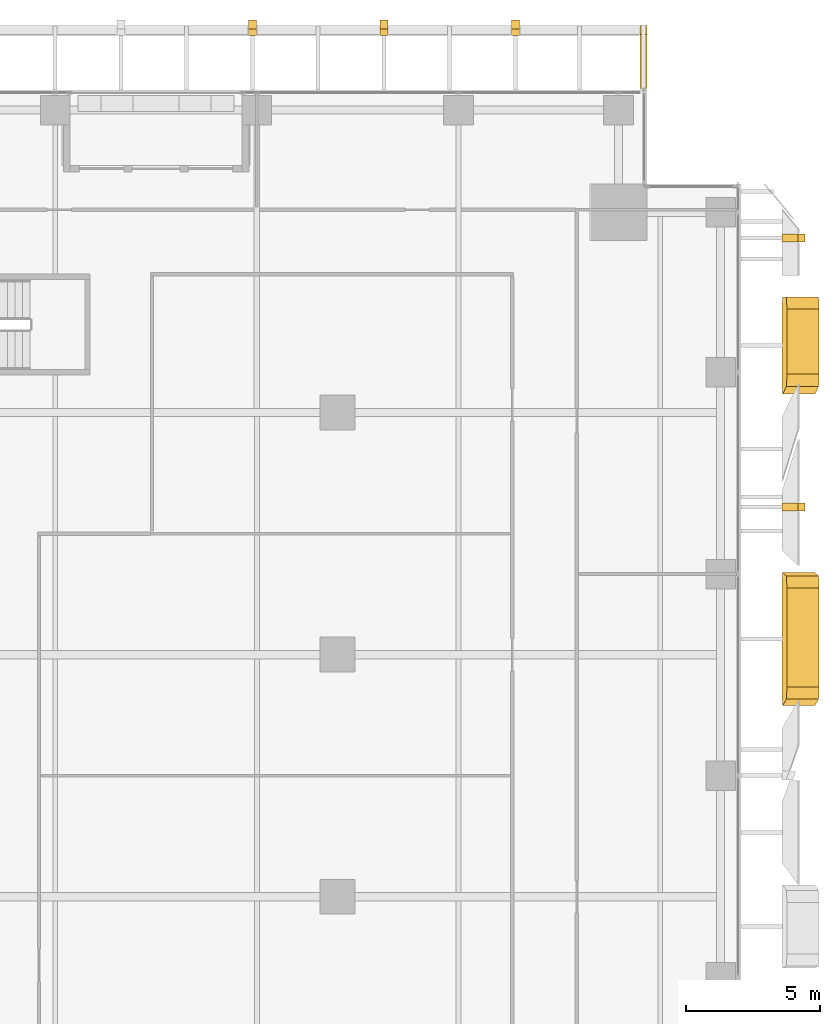
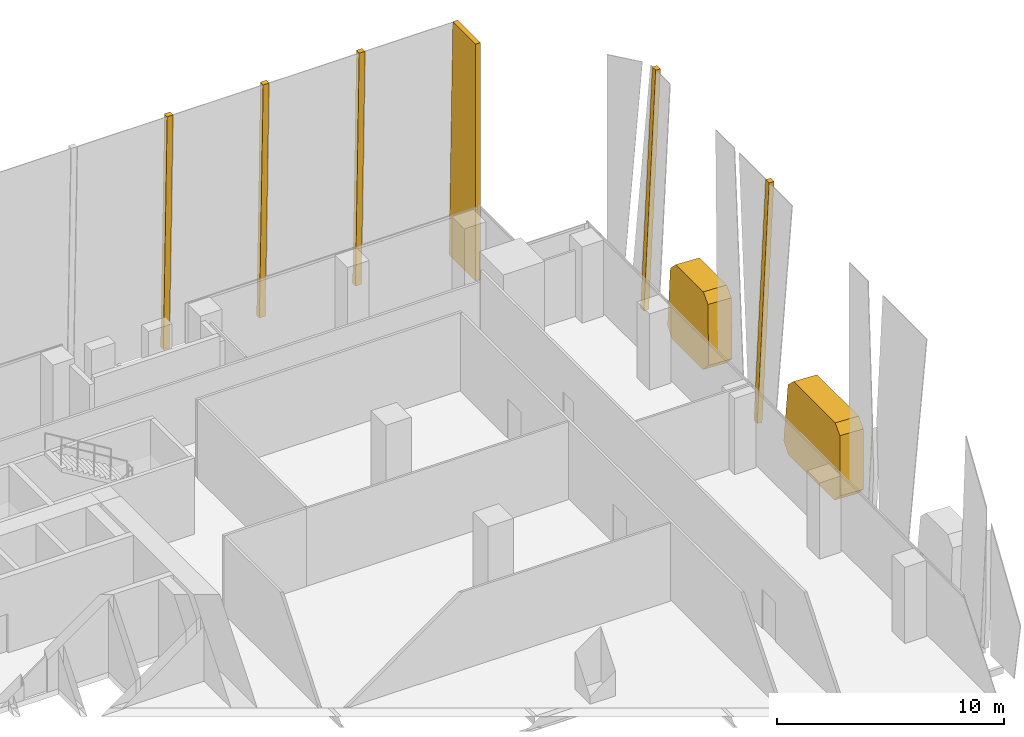
# One storey, part 33 of 34: 8 coverings.
"""IFC4 building model written with IfcOpenShell, lengths in metres."""

from ifc_helpers import new_model, si_unit, direction, frame, origin, place, context, subcontext, project, spatial, polyline, outline, extrude, material, layer, layer_set, type_object, element, save


model = new_model("IFC4")

# Units and contexts
model_context = context("Model", 3, precision=1e-05, world=origin(), true_north=direction((0.0, 1.0)))
body_context = subcontext(model_context, "Body", "Model", "MODEL_VIEW")
ifc_project = project(units=[si_unit("LENGTHUNIT", "METRE"), si_unit("AREAUNIT", "SQUARE_METRE"), si_unit("VOLUMEUNIT", "CUBIC_METRE"), si_unit("PLANEANGLEUNIT", "RADIAN"), si_unit("MASSUNIT", "GRAM", prefix="KILO")], contexts=[model_context])

# Site, building, storey
site_placement = place(None, origin())
site = spatial("IfcSite", under=ifc_project, at=site_placement, CompositionType="ELEMENT")
building_placement = place(site_placement, origin())
building = spatial("IfcBuilding", under=site, at=building_placement, Name="Khomas Fold Tower", CompositionType="ELEMENT")
storey_placement = place(building_placement, frame((0.0, 0.0, 114.699951171875)))
storey = spatial("IfcBuildingStorey", under=building, at=storey_placement, Name="L24", CompositionType="ELEMENT", Elevation=114.699951171875)

# Coverings
ifc_material_1 = material(Name="Natural stone cladding", Category="masonry")
ifc_layer_1 = layer(ifc_material_1, 0.25)
ifc_layer_set_1 = layer_set([ifc_layer_1], Name="Natural stone cladding")
covering_type_1 = type_object("IfcCoveringType", Name="SK-Karibib marble stone mullion", PredefinedType="CLADDING", material=ifc_layer_set_1)
for number, where, z_axis, x_axis, name in (
    (1, (54.026611328125, 36.85009765625, 0.0), (-0.998875266546, 0.0, 0.047415207295), (0.047415207295, 0.0, 0.998875266546), "OUTER SKIN mullion L24 EM105-13"),
    (2, (54.026611328125, 46.85009765625, 0.0), (-0.998875266546, 0.0, 0.047415207295), (0.047415207295, 0.0, 0.998875266546), "OUTER SKIN mullion L24 EM107-16"),
):
    element("IfcCovering", number, at=place(storey_placement, frame(where, z_axis=z_axis, x_axis=x_axis)), inside=storey, type_object=covering_type_1, Name=name, PredefinedType="CLADDING", context=body_context, shape_type="SweptSolid", body=[
        extrude(outline(polyline([(0.0, 0.0), (12.764356498773964, 0.0), (12.764356498773964, 0.2998046875), (0.0, 0.2998046875), (0.0, 0.0)])), origin(), (0.0, 0.0, -1.0), 0.25),
    ])
for number, where, z_axis, x_axis, name in (
    (3, (34.183349609375, 55.104248046875, 0.006591796875), (0.0, 0.999657592188, 0.026166741891), (1.0, 0.0, 0.0), "OUTER SKIN mullion L24 N12"),
    (4, (39.072265625, 55.104248046875, 0.006591796875), (0.0, 0.999657592188, 0.026166741891), (1.0, 0.0, 0.0), "OUTER SKIN mullion L24 N14"),
    (5, (43.961181640625, 55.104248046875, 0.006591796875), (0.0, 0.999657592188, 0.026166741891), (1.0, 0.0, 0.0), "OUTER SKIN mullion L24 N16"),
):
    element("IfcCovering", number, at=place(storey_placement, frame(where, z_axis=z_axis, x_axis=x_axis)), inside=storey, type_object=covering_type_1, Name=name, PredefinedType="CLADDING", context=body_context, shape_type="SweptSolid", body=[
        extrude(outline(polyline([(0.0, 0.0), (0.300048828125, 0.0), (0.300048828125, -12.754367194966619), (0.0, -12.754367194966619), (0.0, 0.0)])), origin(), (0.0, 0.0, -1.0), 0.25),
    ])
covering_1_placement = place(storey_placement, frame((49.0, 52.550048828125, 0.0), z_axis=(1.0, 0.0, 0.0), x_axis=(0.0, 1.0, 0.0)))
element("IfcCovering", 6, at=covering_1_placement, inside=storey, type_object=covering_type_1, Name="OUTER SKIN return L24 N2", PredefinedType="CLADDING", context=body_context, shape_type="SweptSolid", body=[
    extrude(outline(polyline([(0.0, 0.0), (2.34423828125, 0.0), (2.010498046875, 12.75), (0.0, 12.75), (0.0, 0.0)])), origin(), (0.0, 0.0, -1.0), 0.25),
])
ifc_material_2 = material(Name="Natural stone cladding", Category="masonry")
ifc_layer_2 = layer(ifc_material_2, 1.199951171875)
ifc_layer_set_2 = layer_set([ifc_layer_2], Name="Natural stone cladding")
covering_type_2 = type_object("IfcCoveringType", Name="SK-Karibib marble stone panel", PredefinedType="CLADDING", material=ifc_layer_set_2)
covering_2_placement = place(storey_placement, frame((54.193603515625, 34.424072265625, 3.51953125), z_axis=(-0.998875367039, 1.1649169e-05, 0.047413088768), x_axis=(-0.04736795546, 0.043378057002, -0.99793517874)))
element("IfcCovering", 7, at=covering_2_placement, inside=storey, type_object=covering_type_2, Name="OUTER SKIN leaf L24 ES09-3", PredefinedType="CLADDING", context=body_context, shape_type="SweptSolid", body=[
    extrude(outline(polyline([(0.0, 0.0), (3.0561156580459987, -2.7755575615628914e-17), (3.5064278565084326, 0.4694384266197019), (3.3305433910096855, 4.520309366951107), (2.8246673332382595, 4.947498017020471), (-0.2152451540692698, 4.568693931353483), (-0.6094476702961733, 4.102669206840859), (-0.4500100120541431, 0.4305917738754616), (0.0, 0.0)])), origin(), (0.0, 0.0, -1.0), 1.199951171875),
])
covering_3_placement = place(storey_placement, frame((54.192626953125, 44.800048828125, 3.5), z_axis=(-0.99887526044, -3.2308052e-05, 0.047415324908), x_axis=(-0.047415324933, -6.9e-11, -0.998875260962)))
element("IfcCovering", 8, at=covering_3_placement, inside=storey, type_object=covering_type_2, Name="OUTER SKIN leaf L24 ES12-4", PredefinedType="CLADDING", context=body_context, shape_type="SweptSolid", body=[
    extrude(outline(polyline([(0.0, 0.0), (3.0534828913283687, 1.6940658945086007e-21), (3.5039350982005657, 0.4499511754291743), (3.5039350983873163, 3.1652832052620288), (3.009726688052327, 3.613281252081063), (-0.04375620329646019, 3.3164062522360034), (-0.450463782651019, 2.868652346342667), (-0.45046378281736843, 0.4499511757299992), (0.0, 0.0)])), origin(), (0.0, 0.0, -1.0), 1.199951171875),
])

save(model, "model.ifc")
